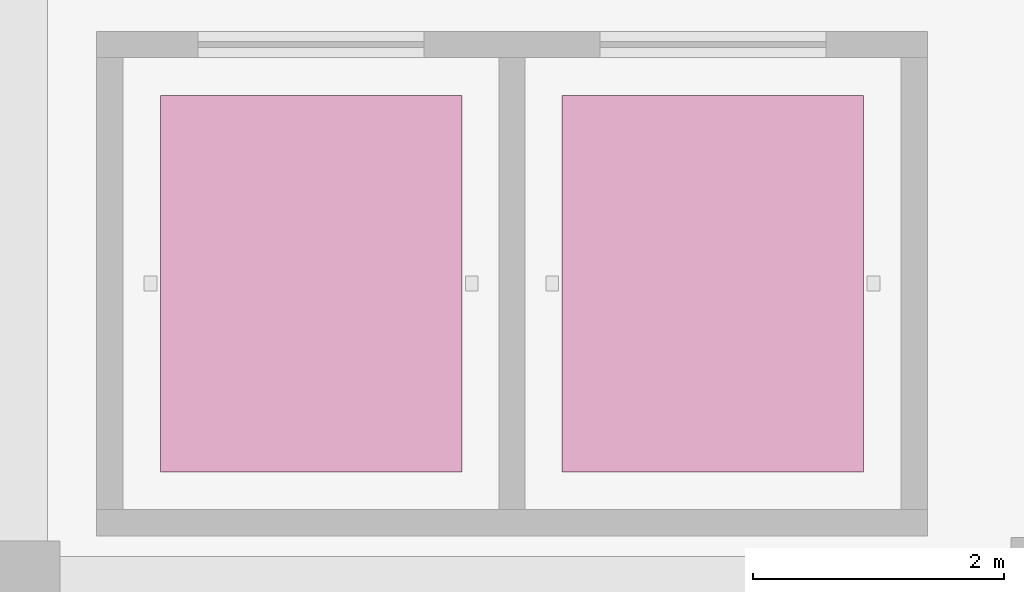
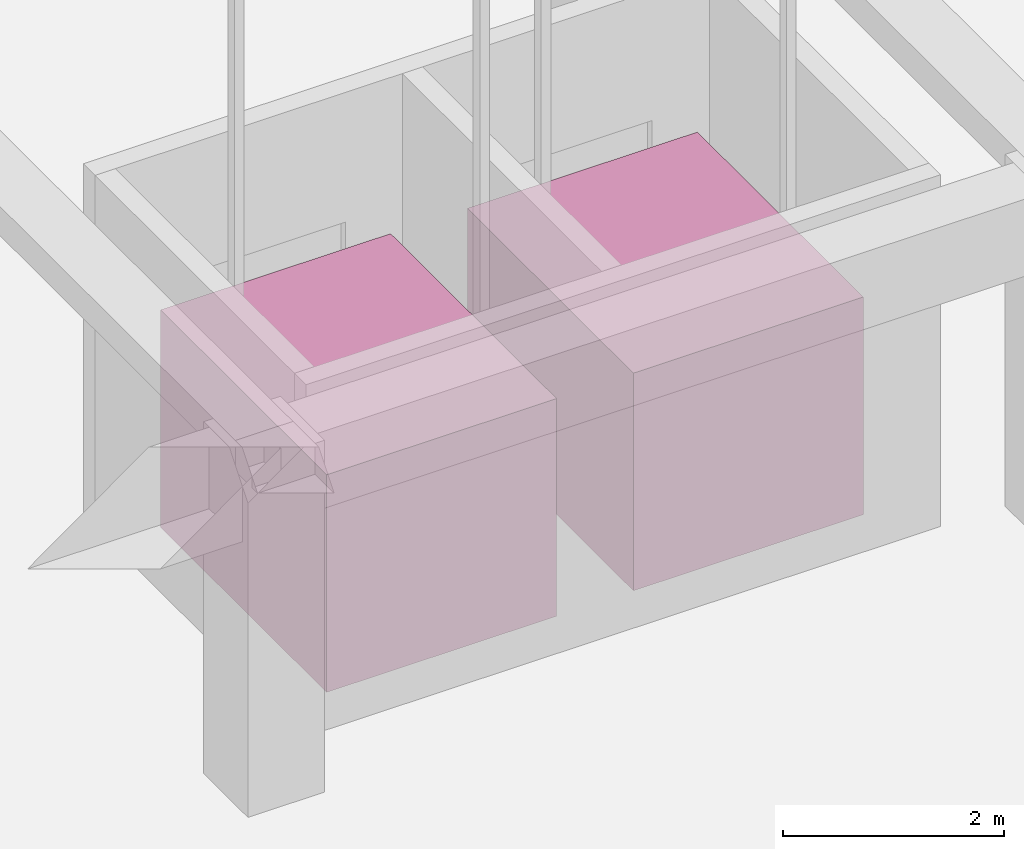
# One storey, part 32 of 32: 2 transport elements.
"""IFC4 building model written with IfcOpenShell, lengths in metres."""

from ifc_helpers import new_model, si_unit, direction, frame, origin, origin_2d, place, context, subcontext, project, spatial, rectangle, extrude, material, type_object, element, save


model = new_model("IFC4")

# Units and contexts
model_context = context("Model", 3, precision=1e-05, world=origin(), true_north=direction((0.0, 1.0)))
body_context = subcontext(model_context, "Body", "Model", "MODEL_VIEW")
ifc_project = project(units=[si_unit("LENGTHUNIT", "METRE"), si_unit("AREAUNIT", "SQUARE_METRE"), si_unit("VOLUMEUNIT", "CUBIC_METRE"), si_unit("PLANEANGLEUNIT", "RADIAN"), si_unit("MASSUNIT", "GRAM", prefix="KILO")], contexts=[model_context])

# Site, building, storey
site_placement = place(None, origin())
site = spatial("IfcSite", under=ifc_project, at=site_placement, CompositionType="ELEMENT")
building_placement = place(site_placement, origin())
building = spatial("IfcBuilding", under=site, at=building_placement, Name="Almacenes y Pasaje Nevantli", CompositionType="ELEMENT")
storey_placement = place(building_placement, frame((0.0, 0.0, -4.199951171875)))
storey = spatial("IfcBuildingStorey", under=building, at=storey_placement, Name="B01", CompositionType="ELEMENT", Elevation=-4.199951171875)

# Transport elements
ifc_material = material(Name="Heavy-Duty Freight Elevator Assembly", Category="steel")
transport_element_type = type_object("IfcTransportElementType", Name="TRN-ELEVATOR-GOODS", PredefinedType="ELEVATOR", material=ifc_material)
for number, where, z_axis, x_axis, name in (
    (1, (145.199951171875, 19.25, 0.0), (0.0, 0.0, 1.0), (1.0, 0.0, 0.0), "Traction Elevator ELV-G01 (Department store goods lifts)"),
    (2, (148.39990234375, 19.25, 0.0), (0.0, 0.0, 1.0), (1.0, 0.0, 0.0), "Traction Elevator ELV-G02 (Department store goods lifts)"),
):
    element("IfcTransportElement", number, at=place(storey_placement, frame(where, z_axis=z_axis, x_axis=x_axis)), inside=storey, type_object=transport_element_type, Name=name, PredefinedType="ELEVATOR", context=body_context, shape_type="SweptSolid", body=[
        extrude(rectangle(XDim=2.39990234375, YDim=3.0, at=origin_2d()), origin(), (0.0, 0.0, 1.0), 2.39990234375),
    ])

save(model, "model.ifc")
